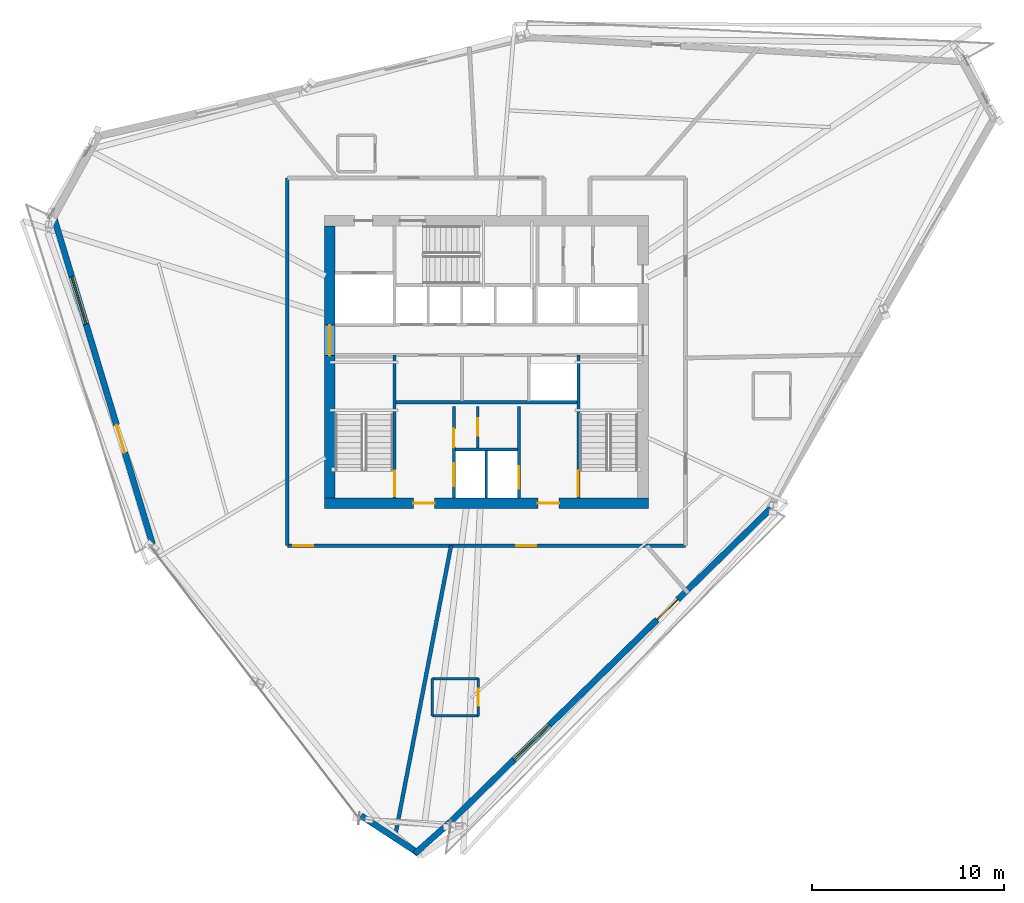
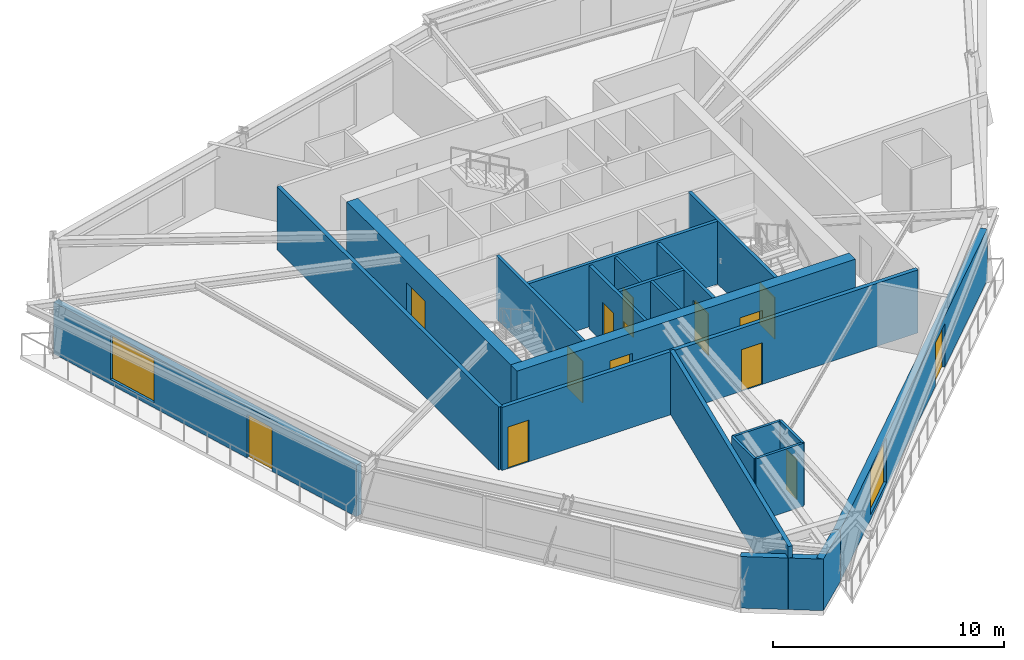
# One storey, part 9 of 15: 21 walls, 14 doors, 2 windows, 16 openings.
"""IFC4 building model written with IfcOpenShell, lengths in metres."""

from ifc_helpers import new_model, si_unit, direction, frame, frame_2d, origin, place, context, subcontext, project, spatial, rectangle, extrude, source, transform, mapped, material, layer, layer_set, type_object, type_shapes, element, fill, save


model = new_model("IFC4")

# Units and contexts
model_context = context("Model", 3, precision=1e-05, world=origin(), true_north=direction((0.0, 1.0)))
body_context = subcontext(model_context, "Body", "Model", "MODEL_VIEW")
ifc_project = project(units=[si_unit("LENGTHUNIT", "METRE"), si_unit("AREAUNIT", "SQUARE_METRE"), si_unit("VOLUMEUNIT", "CUBIC_METRE"), si_unit("PLANEANGLEUNIT", "RADIAN"), si_unit("MASSUNIT", "GRAM", prefix="KILO")], contexts=[model_context])

# Site, building, storey
site_placement = place(None, origin())
site = spatial("IfcSite", under=ifc_project, at=site_placement, CompositionType="ELEMENT")
building_placement = place(site_placement, origin())
building = spatial("IfcBuilding", under=site, at=building_placement, Name="Olszyna Solenne Hotel", CompositionType="ELEMENT")
storey_placement = place(building_placement, frame((0.0, 0.0, 157.25)))
storey = spatial("IfcBuildingStorey", under=building, at=storey_placement, Name="L41", CompositionType="ELEMENT", Elevation=157.25)

# Wall, openings, doors
ifc_material_1 = material(Name="Concrete C50/60", Category="concrete")
ifc_layer_1 = layer(ifc_material_1, 0.550048828125, Name="Concrete C50/60")
ifc_layer_set_1 = layer_set([ifc_layer_1], Name="Concrete C50/60")
wall_type_1 = type_object("IfcWallType", Name="WL-CR550", PredefinedType="SHEAR", material=ifc_layer_set_1)
wall_1_placement = place(storey_placement, frame((46.449951171875, 19.22509765625, 0.0), z_axis=(0.0, 0.0, 1.0), x_axis=(-1.0, 0.0, 0.0)))
wall_1 = element("IfcWall", 1, at=wall_1_placement, inside=storey, type_object=wall_type_1, Name="Core shear wall WL-CR550 CRW-L41-S", PredefinedType="SHEAR", context=body_context, shape_type="SweptSolid", body=[
    extrude(rectangle(XDim=16.89990234375, YDim=0.550048828125, at=frame_2d((8.449951171875, 0.0))), origin(), (0.0, 0.0, 1.0), 3.330078125),
])
opening_1_placement = place(wall_1_placement, frame((4.64990234375, 0.0, 0.0)))
opening_1 = element("IfcOpeningElement", 2, at=opening_1_placement, cuts=wall_1, Name="Opening FL-L41-1", PredefinedType="OPENING", context=body_context, shape_type="SweptSolid", body=[
    extrude(rectangle(XDim=1.1201171875, YDim=2.25, at=frame_2d((0.56005859375, 1.125))), frame((0.0, 0.28515625, 0.0), z_axis=(0.0, -1.0, 0.0), x_axis=(1.0, 0.0, 0.0)), (0.0, 0.0, 1.0), 0.570068359375),
])
opening_2_placement = place(wall_1_placement, frame((11.14990234375, 0.0, 0.0)))
opening_2 = element("IfcOpeningElement", 3, at=opening_2_placement, cuts=wall_1, Name="Opening FL-L41-2", PredefinedType="OPENING", context=body_context, shape_type="SweptSolid", body=[
    extrude(rectangle(XDim=1.1201171875, YDim=2.25, at=frame_2d((0.56005859375, 1.125))), frame((0.0, 0.28515625, 0.0), z_axis=(0.0, -1.0, 0.0), x_axis=(1.0, 0.0, 0.0)), (0.0, 0.0, 1.0), 0.570068359375),
])
ifc_material_2 = material(Name="Steel S355J2", Category="steel")
door_type_1 = type_object("IfcDoorType", Name="DR-FL1", OperationType="NOTDEFINED", PredefinedType="DOOR", material=ifc_material_2)
shared_shape_1 = source(origin(), body_context, "Body", "SweptSolid", [
    extrude(rectangle(XDim=1.1201171875, YDim=2.25, at=frame_2d((0.56005859375, 1.125))), frame((0.0, 0.02490234375, 0.0), z_axis=(0.0, -1.0, 0.0), x_axis=(1.0, 0.0, 0.0)), (0.0, 0.0, 1.0), 0.050048828125),
])
type_shapes(door_type_1, [shared_shape_1])
door_1_placement = place(opening_1_placement, origin())
door_1 = element("IfcDoor", 4, at=door_1_placement, inside=storey, type_object=door_type_1, Name="Firefighting lift lobby smoke door FL-L41-1", OperationType="SINGLE_SWING_LEFT", OverallHeight=2.25, OverallWidth=1.1201171875, PredefinedType="DOOR", context=body_context, shape_type="MappedRepresentation", body=[
    mapped(shared_shape_1, transform((0.0, 0.0, 0.0), x_axis=(1.0, 0.0, 0.0), y_axis=(0.0, 1.0, 0.0), z_axis=(0.0, 0.0, 1.0), scale=1.0)),
])
fill(opening_1, door_1)
door_2_placement = place(opening_2_placement, origin())
door_2 = element("IfcDoor", 5, at=door_2_placement, inside=storey, type_object=door_type_1, Name="Firefighting lift lobby smoke door FL-L41-2", OperationType="SINGLE_SWING_RIGHT", OverallHeight=2.25, OverallWidth=1.1201171875, PredefinedType="DOOR", context=body_context, shape_type="MappedRepresentation", body=[
    mapped(shared_shape_1, transform((0.0, 0.0, 0.0), x_axis=(1.0, 0.0, 0.0), y_axis=(0.0, 1.0, 0.0), z_axis=(0.0, 0.0, 1.0), scale=1.0)),
])
fill(opening_2, door_2)

# Wall, opening, door
wall_2_placement = place(storey_placement, frame((29.824951171875, 19.5, 0.0), z_axis=(0.0, 0.0, 1.0), x_axis=(0.0, 1.0, 0.0)))
wall_2 = element("IfcWall", 6, at=wall_2_placement, inside=storey, type_object=wall_type_1, Name="Core shear wall WL-CR550 CRW-L41-W", PredefinedType="SHEAR", context=body_context, shape_type="SweptSolid", body=[
    extrude(rectangle(XDim=14.199951171875, YDim=0.550048828125, at=frame_2d((7.10009765625, 0.0))), origin(), (0.0, 0.0, 1.0), 3.330078125),
])
opening_3_placement = place(wall_2_placement, frame((7.419921875, 0.0, 0.0)))
opening_3 = element("IfcOpeningElement", 7, at=opening_3_placement, cuts=wall_2, Name="Opening LHD-L41-W", PredefinedType="OPENING", context=body_context, shape_type="SweptSolid", body=[
    extrude(rectangle(XDim=1.60009765625, YDim=2.199951171875, at=frame_2d((0.800048828125, 1.10009765625))), frame((0.0, 0.28515625, 0.0), z_axis=(0.0, -1.0, 0.0), x_axis=(1.0, 0.0, 0.0)), (0.0, 0.0, 1.0), 0.570068359375),
])
ifc_material_3 = material(Name="Timber hardwood", Category="wood")
door_type_2 = type_object("IfcDoorType", Name="DR-CR1", OperationType="DOUBLE_DOOR_SINGLE_SWING", PredefinedType="DOOR", material=ifc_material_3)
shared_shape_2 = source(origin(), body_context, "Body", "SweptSolid", [
    extrude(rectangle(XDim=1.60009765625, YDim=2.199951171875, at=frame_2d((0.800048828125, 1.10009765625))), frame((0.0, 0.02490234375, 0.0), z_axis=(0.0, -1.0, 0.0), x_axis=(1.0, 0.0, 0.0)), (0.0, 0.0, 1.0), 0.050048828125),
])
type_shapes(door_type_2, [shared_shape_2])
door_3_placement = place(opening_3_placement, origin())
door_3 = element("IfcDoor", 8, at=door_3_placement, inside=storey, type_object=door_type_2, Name="Passenger lift lobby West fire door LHD-L41-W", OperationType="DOUBLE_DOOR_SINGLE_SWING", OverallHeight=2.199951171875, OverallWidth=1.60009765625, PredefinedType="DOOR", context=body_context, shape_type="MappedRepresentation", body=[
    mapped(shared_shape_2, transform((0.0, 0.0, 0.0), x_axis=(1.0, 0.0, 0.0), y_axis=(0.0, 1.0, 0.0), z_axis=(0.0, 0.0, 1.0), scale=1.0)),
])
fill(opening_3, door_3)

# Wall, openings, door, window
ifc_material_4 = material(Name="Precast concrete C45/55", Category="concrete")
ifc_layer_2 = layer(ifc_material_4, 0.320068359375, Name="Precast concrete C45/55")
ifc_layer_set_2 = layer_set([ifc_layer_2], Name="Precast concrete C45/55")
wall_type_2 = type_object("IfcWallType", Name="WL-EX320", PredefinedType="SOLIDWALL", material=ifc_layer_set_2)
wall_3_placement = place(storey_placement, frame((52.849853515625, 18.940185546875, 0.0), z_axis=(0.0, 0.0, 1.0), x_axis=(-0.714884953244, -0.699242092287, 0.0)))
wall_3 = element("IfcWall", 9, at=wall_3_placement, inside=storey, type_object=wall_type_2, Name="Exterior terracotta-precast frame wall WL-EX320 EW-L41-01", PredefinedType="SOLIDWALL", context=body_context, shape_type="SweptSolid", body=[
    extrude(rectangle(XDim=23.59814453125, YDim=0.320068359375, at=frame_2d((11.799072265625, 0.0))), origin(), (0.0, 0.0, 1.0), 2.721923828125),
])
opening_4_placement = place(wall_3_placement, frame((6.801025390625, 0.0, 0.0)))
opening_4 = element("IfcOpeningElement", 10, at=opening_4_placement, cuts=wall_3, Name="Opening LDG-L41-3", PredefinedType="OPENING", context=body_context, shape_type="SweptSolid", body=[
    extrude(rectangle(XDim=1.5, YDim=2.300048828125, at=frame_2d((0.75, 1.14990234375))), frame((0.0, 0.169921875, 0.0), z_axis=(0.0, -1.0, 0.0), x_axis=(1.0, 0.0, 0.0)), (0.0, 0.0, 1.0), 0.340087890625),
])
opening_5_placement = place(wall_3_placement, frame((16.1630859375, 0.0, 0.251953125)))
opening_5 = element("IfcOpeningElement", 11, at=opening_5_placement, cuts=wall_3, Name="Opening WN-L41-248", PredefinedType="OPENING", context=body_context, shape_type="SweptSolid", body=[
    extrude(rectangle(XDim=2.60009765625, YDim=2.35009765625, at=frame_2d((1.300048828125, 1.175048828125))), frame((0.0, 0.169921875, 0.0), z_axis=(0.0, -1.0, 0.0), x_axis=(1.0, 0.0, 0.0)), (0.0, 0.0, 1.0), 0.340087890625),
])
ifc_material_5 = material(Name="Anodised bronze aluminium", Category="aluminium")
door_type_3 = type_object("IfcDoorType", Name="DR-LG2", OperationType="DOUBLE_DOOR_SINGLE_SWING", PredefinedType="DOOR", material=ifc_material_5)
shared_shape_3 = source(origin(), body_context, "Body", "SweptSolid", [
    extrude(rectangle(XDim=1.5, YDim=2.300048828125, at=frame_2d((0.75, 1.14990234375))), frame((0.0, 0.02490234375, 0.0), z_axis=(0.0, -1.0, 0.0), x_axis=(1.0, 0.0, 0.0)), (0.0, 0.0, 1.0), 0.050048828125),
])
type_shapes(door_type_3, [shared_shape_3])
door_4_placement = place(opening_4_placement, origin())
door_4 = element("IfcDoor", 12, at=door_4_placement, inside=storey, type_object=door_type_3, Name="Exterior loggia balcony door DR-LG2 LDG-L41-3", OperationType="DOUBLE_DOOR_SINGLE_SWING", OverallHeight=2.300048828125, OverallWidth=1.5, PredefinedType="DOOR", context=body_context, shape_type="MappedRepresentation", body=[
    mapped(shared_shape_3, transform((0.0, 0.0, 0.0), x_axis=(1.0, 0.0, 0.0), y_axis=(0.0, 1.0, 0.0), z_axis=(0.0, 0.0, 1.0), scale=1.0)),
])
fill(opening_4, door_4)
ifc_material_6 = material(Name="Low-E triple glazing", Category="glass")
window_type = type_object("IfcWindowType", Name="WN-ST1", PartitioningType="SINGLE_PANEL", PredefinedType="WINDOW", material=ifc_material_6)
shared_shape_4 = source(origin(), body_context, "Body", "SweptSolid", [
    extrude(rectangle(XDim=2.60009765625, YDim=2.35009765625, at=frame_2d((1.300048828125, 1.175048828125))), frame((0.0, 0.030029296875, 0.0), z_axis=(0.0, -1.0, 0.0), x_axis=(1.0, 0.0, 0.0)), (0.0, 0.0, 1.0), 0.06005859375),
])
type_shapes(window_type, [shared_shape_4])
window_1_placement = place(opening_5_placement, origin())
window_1 = element("IfcWindow", 13, at=window_1_placement, inside=storey, type_object=window_type, Name="Loggia room window WN-ST1 WN-L41-248", OverallHeight=2.35009765625, OverallWidth=2.60009765625, PartitioningType="SINGLE_PANEL", PredefinedType="WINDOW", context=body_context, shape_type="MappedRepresentation", body=[
    mapped(shared_shape_4, transform((0.0, 0.0, 0.0), x_axis=(1.0, 0.0, 0.0), y_axis=(0.0, 1.0, 0.0), z_axis=(0.0, 0.0, 1.0), scale=1.0)),
])
fill(opening_5, window_1)

# Walls
wall_4_placement = place(storey_placement, frame((35.98583984375, 2.444580078125, 0.0), z_axis=(0.0, 0.0, 1.0), x_axis=(-0.748310994166, -0.663348065506, 0.0)))
element("IfcWall", 14, at=wall_4_placement, inside=storey, type_object=wall_type_2, Name="Exterior terracotta-precast frame wall WL-EX320 EW-L41-02", PredefinedType="SOLIDWALL", context=body_context, shape_type="SweptSolid", body=[
    extrude(rectangle(XDim=2.298828125, YDim=0.320068359375, at=frame_2d((1.1494140625, 0.0))), origin(), (0.0, 0.0, 1.0), 2.721923828125),
])
wall_5_placement = place(storey_placement, frame((34.458984375, 0.93408203125, 0.0), z_axis=(0.0, 0.0, 1.0), x_axis=(-0.837598435758, 0.546286427084, 0.0)))
element("IfcWall", 15, at=wall_5_placement, inside=storey, type_object=wall_type_2, Name="Exterior terracotta-precast frame wall WL-EX320 EW-L41-03", PredefinedType="SOLIDWALL", context=body_context, shape_type="SweptSolid", body=[
    extrude(rectangle(XDim=3.594482421875, YDim=0.320068359375, at=frame_2d((1.79736328125, 0.0))), origin(), (0.0, 0.0, 1.0), 2.721923828125),
])

# Wall, openings, door, window
wall_6_placement = place(storey_placement, frame((20.561279296875, 17.07421875, 0.0), z_axis=(0.0, 0.0, 1.0), x_axis=(-0.288764905174, 0.957400036317, 0.0)))
wall_6 = element("IfcWall", 16, at=wall_6_placement, inside=storey, type_object=wall_type_2, Name="Exterior terracotta-precast frame wall WL-EX320 EW-L41-05", PredefinedType="SOLIDWALL", context=body_context, shape_type="SweptSolid", body=[
    extrude(rectangle(XDim=17.98388671875, YDim=0.320068359375, at=frame_2d((8.991943359375, 0.0))), origin(), (0.0, 0.0, 1.0), 2.721923828125),
])
opening_6_placement = place(wall_6_placement, frame((5.0048828125, 0.0, 0.0)))
opening_6 = element("IfcOpeningElement", 17, at=opening_6_placement, cuts=wall_6, Name="Opening LDG-L41-2", PredefinedType="OPENING", context=body_context, shape_type="SweptSolid", body=[
    extrude(rectangle(XDim=1.5, YDim=2.300048828125, at=frame_2d((0.75, 1.14990234375))), frame((0.0, 0.169921875, 0.0), z_axis=(0.0, -1.0, 0.0), x_axis=(1.0, 0.0, 0.0)), (0.0, 0.0, 1.0), 0.340087890625),
])
opening_7_placement = place(wall_6_placement, frame((12.008056640625, 0.0, 0.251953125)))
opening_7 = element("IfcOpeningElement", 18, at=opening_7_placement, cuts=wall_6, Name="Opening WN-L41-249", PredefinedType="OPENING", context=body_context, shape_type="SweptSolid", body=[
    extrude(rectangle(XDim=2.60009765625, YDim=2.35009765625, at=frame_2d((1.300048828125, 1.175048828125))), frame((0.0, 0.169921875, 0.0), z_axis=(0.0, -1.0, 0.0), x_axis=(1.0, 0.0, 0.0)), (0.0, 0.0, 1.0), 0.340087890625),
])
door_5_placement = place(opening_6_placement, origin())
door_5 = element("IfcDoor", 19, at=door_5_placement, inside=storey, type_object=door_type_3, Name="Exterior loggia balcony door DR-LG2 LDG-L41-2", OperationType="DOUBLE_DOOR_SINGLE_SWING", OverallHeight=2.300048828125, OverallWidth=1.5, PredefinedType="DOOR", context=body_context, shape_type="MappedRepresentation", body=[
    mapped(shared_shape_3, transform((0.0, 0.0, 0.0), x_axis=(1.0, 0.0, 0.0), y_axis=(0.0, 1.0, 0.0), z_axis=(0.0, 0.0, 1.0), scale=1.0)),
])
fill(opening_6, door_5)
window_2_placement = place(opening_7_placement, origin())
window_2 = element("IfcWindow", 20, at=window_2_placement, inside=storey, type_object=window_type, Name="Loggia room window WN-ST1 WN-L41-249", OverallHeight=2.35009765625, OverallWidth=2.60009765625, PartitioningType="SINGLE_PANEL", PredefinedType="WINDOW", context=body_context, shape_type="MappedRepresentation", body=[
    mapped(shared_shape_4, transform((0.0, 0.0, 0.0), x_axis=(1.0, 0.0, 0.0), y_axis=(0.0, 1.0, 0.0), z_axis=(0.0, 0.0, 1.0), scale=1.0)),
])
fill(opening_7, window_2)

# Wall
ifc_material_7 = material(Name="Acoustic gypsum partition", Category="gypsum")
ifc_layer_3 = layer(ifc_material_7, 0.125, Name="Acoustic gypsum partition")
ifc_layer_set_3 = layer_set([ifc_layer_3], Name="Acoustic gypsum partition")
wall_type_3 = type_object("IfcWallType", Name="WL-PT125", PredefinedType="PARTITIONING", material=ifc_layer_set_3)
wall_7_placement = place(storey_placement, frame((38.0, 19.5, 0.0), z_axis=(0.0, 0.0, 1.0), x_axis=(0.0, 1.0, 0.0)))
element("IfcWall", 21, at=wall_7_placement, inside=storey, type_object=wall_type_3, Name="Core shaft compartment wall CW-L41-FFM", PredefinedType="PARTITIONING", context=body_context, shape_type="SweptSolid", body=[
    extrude(rectangle(XDim=2.4599609375, YDim=0.125, at=frame_2d((1.22998046875, 0.0))), origin(), (0.0, 0.0, 1.0), 3.330078125),
])

# Wall, opening, door
wall_8_placement = place(storey_placement, frame((37.553955078125, 22.10009765625, 0.0), z_axis=(0.0, 0.0, 1.0), x_axis=(0.0, 1.0, 0.0)))
wall_8 = element("IfcWall", 22, at=wall_8_placement, inside=storey, type_object=wall_type_3, Name="Core shaft compartment wall CW-L41-SC3", PredefinedType="PARTITIONING", context=body_context, shape_type="SweptSolid", body=[
    extrude(rectangle(XDim=2.179931640625, YDim=0.125, at=frame_2d((1.08984375, 0.0))), origin(), (0.0, 0.0, 1.0), 3.330078125),
])
opening_8_placement = place(wall_8_placement, frame((0.64990234375, 0.0, 0.0)))
opening_8 = element("IfcOpeningElement", 23, at=opening_8_placement, cuts=wall_8, Name="Opening SVD-L41-SC3", PredefinedType="OPENING", context=body_context, shape_type="SweptSolid", body=[
    extrude(rectangle(XDim=0.89990234375, YDim=2.10009765625, at=frame_2d((0.449951171875, 1.050048828125))), frame((0.0, 0.072509765625, 0.0), z_axis=(0.0, -1.0, 0.0), x_axis=(1.0, 0.0, 0.0)), (0.0, 0.0, 1.0), 0.14501953125),
])
door_type_4 = type_object("IfcDoorType", Name="DR-WC1", OperationType="NOTDEFINED", PredefinedType="DOOR", material=ifc_material_3)
shared_shape_5 = source(origin(), body_context, "Body", "SweptSolid", [
    extrude(rectangle(XDim=0.89990234375, YDim=2.10009765625, at=frame_2d((0.449951171875, 1.050048828125))), frame((0.0, 0.02490234375, 0.0), z_axis=(0.0, -1.0, 0.0), x_axis=(1.0, 0.0, 0.0)), (0.0, 0.0, 1.0), 0.050048828125),
])
type_shapes(door_type_4, [shared_shape_5])
door_6_placement = place(opening_8_placement, origin())
door_6 = element("IfcDoor", 24, at=door_6_placement, inside=storey, type_object=door_type_4, Name="Trolley bay door SVD-L41-SC3", OperationType="SINGLE_SWING_LEFT", OverallHeight=2.10009765625, OverallWidth=0.89990234375, PredefinedType="DOOR", context=body_context, shape_type="MappedRepresentation", body=[
    mapped(shared_shape_5, transform((0.0, 0.0, 0.0), x_axis=(1.0, 0.0, 0.0), y_axis=(0.0, 1.0, 0.0), z_axis=(0.0, 0.0, 1.0), scale=1.0)),
])
fill(opening_8, door_6)

wall_9_placement = place(storey_placement, frame((37.575927734375, 8.111083984375, 0.0), z_axis=(0.0, 0.0, 1.0), x_axis=(0.0, 1.0, 0.0)))
wall_9 = element("IfcWall", 25, at=wall_9_placement, inside=storey, type_object=wall_type_3, Name="Interior acoustic partition WL-PT125 PW-L41-2319", PredefinedType="PARTITIONING", context=body_context, shape_type="SweptSolid", body=[
    extrude(rectangle(XDim=1.949951171875, YDim=0.125, at=frame_2d((0.97509765625, 0.0))), origin(), (0.0, 0.0, 1.0), 3.330078125),
])
opening_9_placement = place(wall_9_placement, frame((0.52490234375, 0.0, 0.0)))
opening_9 = element("IfcOpeningElement", 26, at=opening_9_placement, cuts=wall_9, Name="Opening DR-L41-0559", PredefinedType="OPENING", context=body_context, shape_type="SweptSolid", body=[
    extrude(rectangle(XDim=0.89990234375, YDim=2.10009765625, at=frame_2d((0.449951171875, 1.050048828125))), frame((0.0, 0.072509765625, 0.0), z_axis=(0.0, -1.0, 0.0), x_axis=(1.0, 0.0, 0.0)), (0.0, 0.0, 1.0), 0.14501953125),
])
door_7_placement = place(opening_9_placement, origin())
door_7 = element("IfcDoor", 27, at=door_7_placement, inside=storey, type_object=door_type_4, Name="En-Suite Bathroom Door DR-L41-0559", OperationType="SINGLE_SWING_RIGHT", OverallHeight=2.10009765625, OverallWidth=0.89990234375, PredefinedType="DOOR", context=body_context, shape_type="MappedRepresentation", body=[
    mapped(shared_shape_5, transform((0.0, 0.0, 0.0), x_axis=(1.0, 0.0, 0.0), y_axis=(0.0, 1.0, 0.0), z_axis=(0.0, 0.0, 1.0), scale=1.0)),
])
fill(opening_9, door_7)

# Walls
wall_10_placement = place(storey_placement, frame((37.575927734375, 10.06103515625, 0.0), z_axis=(0.0, 0.0, 1.0), x_axis=(-1.0, 0.0, 0.0)))
element("IfcWall", 28, at=wall_10_placement, inside=storey, type_object=wall_type_3, Name="Interior acoustic partition WL-PT125 PW-L41-2320", PredefinedType="PARTITIONING", context=body_context, shape_type="SweptSolid", body=[
    extrude(rectangle(XDim=2.39990234375, YDim=0.125, at=frame_2d((1.199951171875, 0.0))), origin(), (0.0, 0.0, 1.0), 3.330078125),
])
wall_11_placement = place(storey_placement, frame((35.176025390625, 10.06103515625, 0.0), z_axis=(0.0, 0.0, 1.0), x_axis=(0.0, -1.0, 0.0)))
element("IfcWall", 29, at=wall_11_placement, inside=storey, type_object=wall_type_3, Name="Interior acoustic partition WL-PT125 PW-L41-2321", PredefinedType="PARTITIONING", context=body_context, shape_type="SweptSolid", body=[
    extrude(rectangle(XDim=1.949951171875, YDim=0.125, at=frame_2d((0.97509765625, 0.0))), origin(), (0.0, 0.0, 1.0), 3.330078125),
])
wall_12_placement = place(storey_placement, frame((35.176025390625, 8.111083984375, 0.0), z_axis=(0.0, 0.0, 1.0), x_axis=(1.0, 0.0, 0.0)))
element("IfcWall", 30, at=wall_12_placement, inside=storey, type_object=wall_type_3, Name="Interior acoustic partition WL-PT125 PW-L41-2322", PredefinedType="PARTITIONING", context=body_context, shape_type="SweptSolid", body=[
    extrude(rectangle(XDim=2.39990234375, YDim=0.125, at=frame_2d((1.199951171875, 0.0))), origin(), (0.0, 0.0, 1.0), 3.330078125),
])

# Wall, opening, door
ifc_layer_4 = layer(ifc_material_7, 0.159912109375, Name="Acoustic gypsum partition")
ifc_layer_set_4 = layer_set([ifc_layer_4], Name="Acoustic gypsum partition")
wall_type_4 = type_object("IfcWallType", Name="WL-PT160", PredefinedType="PARTITIONING", material=ifc_layer_set_4)
wall_13_placement = place(storey_placement, frame((33.199951171875, 19.5, 0.0), z_axis=(0.0, 0.0, 1.0), x_axis=(0.0, 1.0, 0.0)))
wall_13 = element("IfcWall", 31, at=wall_13_placement, inside=storey, type_object=wall_type_4, Name="Core shaft compartment wall CW-L41-ST1E", PredefinedType="PARTITIONING", context=body_context, shape_type="SweptSolid", body=[
    extrude(rectangle(XDim=7.4599609375, YDim=0.159912109375, at=frame_2d((3.72998046875, 0.0))), origin(), (0.0, 0.0, 1.0), 3.330078125),
])
opening_10_placement = place(wall_13_placement, frame((0.080078125, 0.0, 0.0)))
opening_10 = element("IfcOpeningElement", 32, at=opening_10_placement, cuts=wall_13, Name="Opening STD-L41-01", PredefinedType="OPENING", context=body_context, shape_type="SweptSolid", body=[
    extrude(rectangle(XDim=1.320068359375, YDim=2.199951171875, at=frame_2d((0.66015625, 1.10009765625))), frame((0.0, 0.08984375, 0.0), z_axis=(0.0, -1.0, 0.0), x_axis=(1.0, 0.0, 0.0)), (0.0, 0.0, 1.0), 0.179931640625),
])
door_type_5 = type_object("IfcDoorType", Name="DR-ST1", OperationType="NOTDEFINED", PredefinedType="DOOR", material=ifc_material_2)
shared_shape_6 = source(origin(), body_context, "Body", "SweptSolid", [
    extrude(rectangle(XDim=1.320068359375, YDim=2.199951171875, at=frame_2d((0.66015625, 1.10009765625))), frame((0.0, 0.02490234375, 0.0), z_axis=(0.0, -1.0, 0.0), x_axis=(1.0, 0.0, 0.0)), (0.0, 0.0, 1.0), 0.050048828125),
])
type_shapes(door_type_5, [shared_shape_6])
door_8_placement = place(opening_10_placement, origin())
door_8 = element("IfcDoor", 33, at=door_8_placement, inside=storey, type_object=door_type_5, Name="Pressurised exit stair ST1 fire door STD-L41-01", OperationType="SINGLE_SWING_LEFT", OverallHeight=2.199951171875, OverallWidth=1.320068359375, PredefinedType="DOOR", context=body_context, shape_type="MappedRepresentation", body=[
    mapped(shared_shape_6, transform((0.0, 0.0, 0.0), x_axis=(1.0, 0.0, 0.0), y_axis=(0.0, 1.0, 0.0), z_axis=(0.0, 0.0, 1.0), scale=1.0)),
])
fill(opening_10, door_8)

wall_14_placement = place(storey_placement, frame((42.800048828125, 26.9599609375, 0.0), z_axis=(0.0, 0.0, 1.0), x_axis=(0.0, -1.0, 0.0)))
wall_14 = element("IfcWall", 34, at=wall_14_placement, inside=storey, type_object=wall_type_4, Name="Core shaft compartment wall CW-L41-ST2W", PredefinedType="PARTITIONING", context=body_context, shape_type="SweptSolid", body=[
    extrude(rectangle(XDim=7.4599609375, YDim=0.159912109375, at=frame_2d((3.72998046875, 0.0))), origin(), (0.0, 0.0, 1.0), 3.330078125),
])
opening_11_placement = place(wall_14_placement, frame((6.06005859375, 0.0, 0.0)))
opening_11 = element("IfcOpeningElement", 35, at=opening_11_placement, cuts=wall_14, Name="Opening STD-L41-02", PredefinedType="OPENING", context=body_context, shape_type="SweptSolid", body=[
    extrude(rectangle(XDim=1.320068359375, YDim=2.199951171875, at=frame_2d((0.66015625, 1.10009765625))), frame((0.0, 0.08984375, 0.0), z_axis=(0.0, -1.0, 0.0), x_axis=(1.0, 0.0, 0.0)), (0.0, 0.0, 1.0), 0.179931640625),
])
door_9_placement = place(opening_11_placement, origin())
door_9 = element("IfcDoor", 36, at=door_9_placement, inside=storey, type_object=door_type_5, Name="Pressurised exit stair ST2 fire door STD-L41-02", OperationType="SINGLE_SWING_RIGHT", OverallHeight=2.199951171875, OverallWidth=1.320068359375, PredefinedType="DOOR", context=body_context, shape_type="MappedRepresentation", body=[
    mapped(shared_shape_6, transform((0.0, 0.0, 0.0), x_axis=(1.0, 0.0, 0.0), y_axis=(0.0, 1.0, 0.0), z_axis=(0.0, 0.0, 1.0), scale=1.0)),
])
fill(opening_11, door_9)

# Wall, openings, doors
wall_15_placement = place(storey_placement, frame((36.300048828125, 19.5, 0.0), z_axis=(0.0, 0.0, 1.0), x_axis=(0.0, 1.0, 0.0)))
wall_15 = element("IfcWall", 37, at=wall_15_placement, inside=storey, type_object=wall_type_4, Name="Core shaft compartment wall CW-L41-FF1W", PredefinedType="PARTITIONING", context=body_context, shape_type="SweptSolid", body=[
    extrude(rectangle(XDim=4.780029296875, YDim=0.159912109375, at=frame_2d((2.39013671875, 0.0))), origin(), (0.0, 0.0, 1.0), 3.330078125),
])
opening_12_placement = place(wall_15_placement, frame((0.60009765625, 0.0, 0.0)))
opening_12 = element("IfcOpeningElement", 38, at=opening_12_placement, cuts=wall_15, Name="Opening LD-L41-FF1", PredefinedType="OPENING", context=body_context, shape_type="SweptSolid", body=[
    extrude(rectangle(XDim=1.199951171875, YDim=2.199951171875, at=frame_2d((0.60009765625, 1.10009765625))), frame((0.0, 0.08984375, 0.0), z_axis=(0.0, -1.0, 0.0), x_axis=(1.0, 0.0, 0.0)), (0.0, 0.0, 1.0), 0.179931640625),
])
opening_13_placement = place(wall_15_placement, frame((2.64990234375, 0.0, 0.0)))
opening_13 = element("IfcOpeningElement", 39, at=opening_13_placement, cuts=wall_15, Name="Opening SVD-L41-SMK", PredefinedType="OPENING", context=body_context, shape_type="SweptSolid", body=[
    extrude(rectangle(XDim=0.949951171875, YDim=2.10009765625, at=frame_2d((0.47509765625, 1.050048828125))), frame((0.0, 0.08984375, 0.0), z_axis=(0.0, -1.0, 0.0), x_axis=(1.0, 0.0, 0.0)), (0.0, 0.0, 1.0), 0.179931640625),
])
door_type_6 = type_object("IfcDoorType", Name="DR-SV1", OperationType="NOTDEFINED", PredefinedType="DOOR", material=ifc_material_2)
shared_shape_7 = source(origin(), body_context, "Body", "SweptSolid", [
    extrude(rectangle(XDim=0.949951171875, YDim=2.10009765625, at=frame_2d((0.47509765625, 1.050048828125))), frame((0.0, 0.02490234375, 0.0), z_axis=(0.0, -1.0, 0.0), x_axis=(1.0, 0.0, 0.0)), (0.0, 0.0, 1.0), 0.050048828125),
])
type_shapes(door_type_6, [shared_shape_7])
door_10_placement = place(opening_13_placement, origin())
door_10 = element("IfcDoor", 40, at=door_10_placement, inside=storey, type_object=door_type_6, Name="Valet and core service room door SVD-L41-SMK", OperationType="SINGLE_SWING_LEFT", OverallHeight=2.10009765625, OverallWidth=0.949951171875, PredefinedType="DOOR", context=body_context, shape_type="MappedRepresentation", body=[
    mapped(shared_shape_7, transform((0.0, 0.0, 0.0), x_axis=(1.0, 0.0, 0.0), y_axis=(0.0, 1.0, 0.0), z_axis=(0.0, 0.0, 1.0), scale=1.0)),
])
fill(opening_13, door_10)
door_type_7 = type_object("IfcDoorType", Name="LD-FF1", OperationType="DOUBLE_DOOR_SLIDING", PredefinedType="DOOR", material=ifc_material_2)
shared_shape_8 = source(origin(), body_context, "Body", "SweptSolid", [
    extrude(rectangle(XDim=1.199951171875, YDim=2.199951171875, at=frame_2d((0.60009765625, 1.10009765625))), frame((0.0, 0.02490234375, 0.0), z_axis=(0.0, -1.0, 0.0), x_axis=(1.0, 0.0, 0.0)), (0.0, 0.0, 1.0), 0.050048828125),
])
type_shapes(door_type_7, [shared_shape_8])
door_11_placement = place(opening_12_placement, origin())
door_11 = element("IfcDoor", 41, at=door_11_placement, inside=storey, type_object=door_type_7, Name="Firefighters lift FF1 sliding landing door LD-L41-FF1", OperationType="DOUBLE_DOOR_SLIDING", OverallHeight=2.199951171875, OverallWidth=1.199951171875, PredefinedType="DOOR", context=body_context, shape_type="MappedRepresentation", body=[
    mapped(shared_shape_8, transform((0.0, 0.0, 0.0), x_axis=(1.0, 0.0, 0.0), y_axis=(0.0, 1.0, 0.0), z_axis=(0.0, 0.0, 1.0), scale=1.0)),
])
fill(opening_12, door_11)

# Wall, opening, door
wall_16_placement = place(storey_placement, frame((39.699951171875, 24.280029296875, 0.0), z_axis=(0.0, 0.0, 1.0), x_axis=(0.0, -1.0, 0.0)))
wall_16 = element("IfcWall", 42, at=wall_16_placement, inside=storey, type_object=wall_type_4, Name="Core shaft compartment wall CW-L41-FF2E", PredefinedType="PARTITIONING", context=body_context, shape_type="SweptSolid", body=[
    extrude(rectangle(XDim=4.780029296875, YDim=0.159912109375, at=frame_2d((2.39013671875, 0.0))), origin(), (0.0, 0.0, 1.0), 3.330078125),
])
opening_14_placement = place(wall_16_placement, frame((3.1201171875, 0.0, 0.0)))
opening_14 = element("IfcOpeningElement", 43, at=opening_14_placement, cuts=wall_16, Name="Opening LD-L41-FF2", PredefinedType="OPENING", context=body_context, shape_type="SweptSolid", body=[
    extrude(rectangle(XDim=1.199951171875, YDim=2.199951171875, at=frame_2d((0.60009765625, 1.10009765625))), frame((0.0, 0.08984375, 0.0), z_axis=(0.0, -1.0, 0.0), x_axis=(1.0, 0.0, 0.0)), (0.0, 0.0, 1.0), 0.179931640625),
])
door_12_placement = place(opening_14_placement, origin())
door_12 = element("IfcDoor", 44, at=door_12_placement, inside=storey, type_object=door_type_7, Name="Firefighters lift FF2 sliding landing door LD-L41-FF2", OperationType="DOUBLE_DOOR_SLIDING", OverallHeight=2.199951171875, OverallWidth=1.199951171875, PredefinedType="DOOR", context=body_context, shape_type="MappedRepresentation", body=[
    mapped(shared_shape_8, transform((0.0, 0.0, 0.0), x_axis=(1.0, 0.0, 0.0), y_axis=(0.0, 1.0, 0.0), z_axis=(0.0, 0.0, 1.0), scale=1.0)),
])
fill(opening_14, door_12)

# Walls
wall_17_placement = place(storey_placement, frame((36.3798828125, 22.02001953125, 0.0), z_axis=(0.0, 0.0, 1.0), x_axis=(1.0, 0.0, 0.0)))
element("IfcWall", 45, at=wall_17_placement, inside=storey, type_object=wall_type_4, Name="Core shaft compartment wall CW-L41-FFN", PredefinedType="PARTITIONING", context=body_context, shape_type="SweptSolid", body=[
    extrude(rectangle(XDim=3.240234375, YDim=0.159912109375, at=frame_2d((1.6201171875, 0.0))), origin(), (0.0, 0.0, 1.0), 3.330078125),
])
wall_18_placement = place(storey_placement, frame((33.280029296875, 24.489990234375, 0.0), z_axis=(0.0, 0.0, 1.0), x_axis=(1.0, 0.0, 0.0)))
element("IfcWall", 46, at=wall_18_placement, inside=storey, type_object=wall_type_4, Name="Core shaft compartment wall CW-L41-FFBN", PredefinedType="PARTITIONING", context=body_context, shape_type="SweptSolid", body=[
    extrude(rectangle(XDim=9.43994140625, YDim=0.159912109375, at=frame_2d((4.719970703125, 0.0))), origin(), (0.0, 0.0, 1.0), 3.330078125),
])
ifc_layer_5 = layer(ifc_material_7, 0.199951171875, Name="Acoustic gypsum partition")
ifc_layer_set_5 = layer_set([ifc_layer_5], Name="Acoustic gypsum partition")
wall_type_5 = type_object("IfcWallType", Name="WL-PT200", PredefinedType="PARTITIONING", material=ifc_layer_set_5)
wall_19_placement = place(storey_placement, frame((36.1513671875, 17.0, 0.0), z_axis=(0.0, 0.0, 1.0), x_axis=(-0.189090023501, -0.98195975631, 0.0)))
element("IfcWall", 47, at=wall_19_placement, inside=storey, type_object=wall_type_5, Name="Interior acoustic partition WL-PT200 PW-L41-2314", PredefinedType="PARTITIONING", context=body_context, shape_type="SweptSolid", body=[
    extrude(rectangle(XDim=15.67431640625, YDim=0.199951171875, at=frame_2d((7.837158203125, 0.0))), origin(), (0.0, 0.0, 1.0), 3.330078125),
])

# Wall, openings, doors
wall_20_placement = place(storey_placement, frame((27.60009765625, 17.0, 0.0), z_axis=(0.0, 0.0, 1.0), x_axis=(1.0, 0.0, 0.0)))
wall_20 = element("IfcWall", 48, at=wall_20_placement, inside=storey, type_object=wall_type_5, Name="Interior acoustic partition WL-PT200 PW-L41-2331", PredefinedType="PARTITIONING", context=body_context, shape_type="SweptSolid", body=[
    extrude(rectangle(XDim=20.7998046875, YDim=0.199951171875, at=frame_2d((10.39990234375, 0.0))), origin(), (0.0, 0.0, 1.0), 3.330078125),
])
opening_15_placement = place(wall_20_placement, frame((0.300048828125, 0.0, 0.0)))
opening_15 = element("IfcOpeningElement", 49, at=opening_15_placement, cuts=wall_20, Name="Opening DR-L41-0562", PredefinedType="OPENING", context=body_context, shape_type="SweptSolid", body=[
    extrude(rectangle(XDim=1.050048828125, YDim=2.199951171875, at=frame_2d((0.52490234375, 1.10009765625))), frame((0.0, 0.10986328125, 0.0), z_axis=(0.0, -1.0, 0.0), x_axis=(1.0, 0.0, 0.0)), (0.0, 0.0, 1.0), 0.219970703125),
])
opening_16_placement = place(wall_20_placement, frame((11.9619140625, 0.0, 0.0)))
opening_16 = element("IfcOpeningElement", 50, at=opening_16_placement, cuts=wall_20, Name="Opening DR-L41-0563", PredefinedType="OPENING", context=body_context, shape_type="SweptSolid", body=[
    extrude(rectangle(XDim=1.050048828125, YDim=2.199951171875, at=frame_2d((0.52490234375, 1.10009765625))), frame((0.0, 0.10986328125, 0.0), z_axis=(0.0, -1.0, 0.0), x_axis=(1.0, 0.0, 0.0)), (0.0, 0.0, 1.0), 0.219970703125),
])
door_type_8 = type_object("IfcDoorType", Name="DR-RM2", OperationType="NOTDEFINED", PredefinedType="DOOR", material=ifc_material_3)
shared_shape_9 = source(origin(), body_context, "Body", "SweptSolid", [
    extrude(rectangle(XDim=1.050048828125, YDim=2.199951171875, at=frame_2d((0.52490234375, 1.10009765625))), frame((0.0, 0.02490234375, 0.0), z_axis=(0.0, -1.0, 0.0), x_axis=(1.0, 0.0, 0.0)), (0.0, 0.0, 1.0), 0.050048828125),
])
type_shapes(door_type_8, [shared_shape_9])
door_13_placement = place(opening_15_placement, origin())
door_13 = element("IfcDoor", 51, at=door_13_placement, inside=storey, type_object=door_type_8, Name="Executive Club Lounge Entrance Door DR-L41-0562", OperationType="SINGLE_SWING_RIGHT", OverallHeight=2.199951171875, OverallWidth=1.050048828125, PredefinedType="DOOR", context=body_context, shape_type="MappedRepresentation", body=[
    mapped(shared_shape_9, transform((0.0, 0.0, 0.0), x_axis=(1.0, 0.0, 0.0), y_axis=(0.0, 1.0, 0.0), z_axis=(0.0, 0.0, 1.0), scale=1.0)),
])
fill(opening_15, door_13)
door_14_placement = place(opening_16_placement, origin())
door_14 = element("IfcDoor", 52, at=door_14_placement, inside=storey, type_object=door_type_8, Name="Premier King Suite Entrance Door DR-L41-0563", OperationType="SINGLE_SWING_LEFT", OverallHeight=2.199951171875, OverallWidth=1.050048828125, PredefinedType="DOOR", context=body_context, shape_type="MappedRepresentation", body=[
    mapped(shared_shape_9, transform((0.0, 0.0, 0.0), x_axis=(1.0, 0.0, 0.0), y_axis=(0.0, 1.0, 0.0), z_axis=(0.0, 0.0, 1.0), scale=1.0)),
])
fill(opening_16, door_14)

# Wall
wall_21_placement = place(storey_placement, frame((27.60009765625, 17.0, 0.0), z_axis=(0.0, 0.0, 1.0), x_axis=(0.0, 1.0, 0.0)))
element("IfcWall", 53, at=wall_21_placement, inside=storey, type_object=wall_type_5, Name="Interior acoustic partition WL-PT200 PW-L41-2332", PredefinedType="PARTITIONING", context=body_context, shape_type="SweptSolid", body=[
    extrude(rectangle(XDim=19.199951171875, YDim=0.199951171875, at=frame_2d((9.60009765625, 0.0))), origin(), (0.0, 0.0, 1.0), 3.330078125),
])

save(model, "model.ifc")
